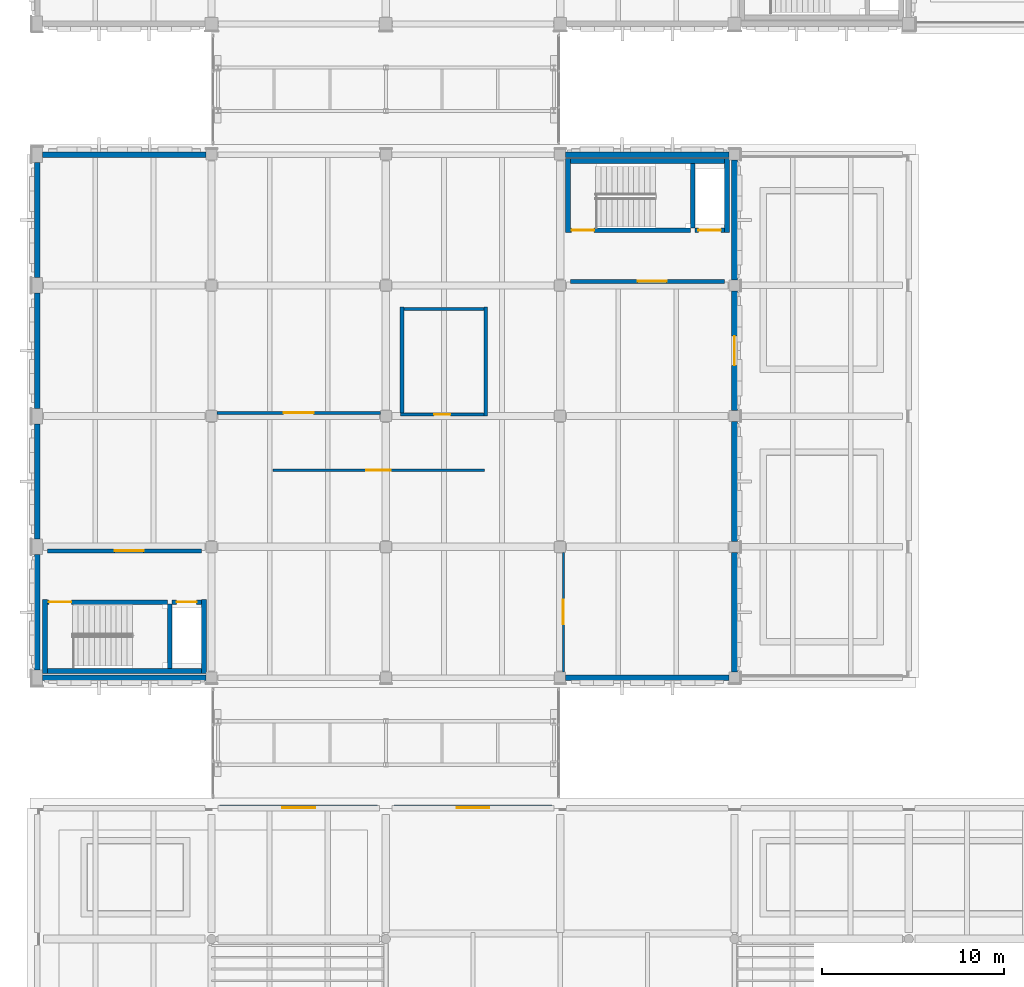
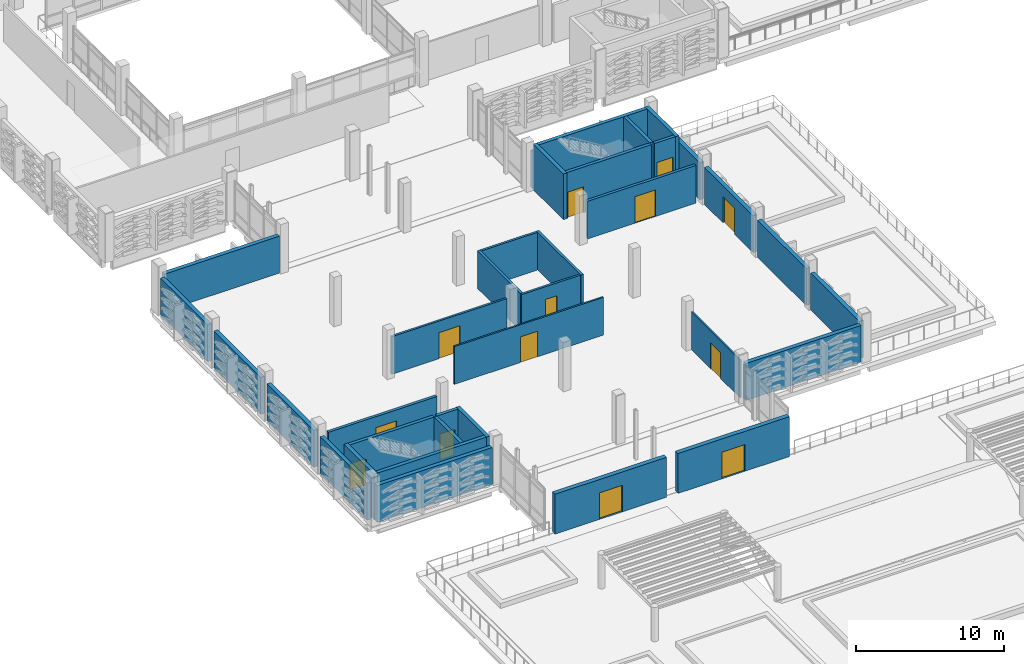
# One storey, part 112 of 134: 35 walls, 13 doors, 13 openings.
"""IFC4 building model written with IfcOpenShell, lengths in metres."""

from ifc_helpers import new_model, si_unit, direction, frame, frame_2d, origin, place, context, subcontext, project, spatial, rectangle, extrude, material, layer, layer_set, type_object, element, fill, save


model = new_model("IFC4")

# Units and contexts
model_context = context("Model", 3, precision=1e-05, world=origin(), true_north=direction((0.0, 1.0)))
body_context = subcontext(model_context, "Body", "Model", "MODEL_VIEW")
ifc_project = project(units=[si_unit("LENGTHUNIT", "METRE"), si_unit("AREAUNIT", "SQUARE_METRE"), si_unit("VOLUMEUNIT", "CUBIC_METRE"), si_unit("PLANEANGLEUNIT", "RADIAN"), si_unit("MASSUNIT", "GRAM", prefix="KILO")], contexts=[model_context])

# Site, building, storey
site_placement = place(None, origin())
site = spatial("IfcSite", under=ifc_project, at=site_placement, CompositionType="ELEMENT")
building_placement = place(site_placement, origin())
building = spatial("IfcBuilding", under=site, at=building_placement, Name="Asteropetra Specialist Clinic", CompositionType="ELEMENT")
storey_placement = place(building_placement, frame((0.0, 0.0, 8.5)))
storey = spatial("IfcBuildingStorey", under=building, at=storey_placement, Name="L02", CompositionType="ELEMENT", Elevation=8.5)

# Walls
ifc_material_1 = material(Name="Chevron ochre deep", Category="masonry")
ifc_layer_1 = layer(ifc_material_1, 0.31005859375)
ifc_layer_set_1 = layer_set([ifc_layer_1], Name="Chevron ochre deep")
wall_type_1 = type_object("IfcWallType", Name="EW-CHEV-OCH-310", PredefinedType="SOLIDWALL", material=ifc_layer_set_1)
for number, where, z_axis, x_axis, name in (
    (1, (0.300048828125, 33.60009765625, 0.0), (0.0, 0.0, 1.0), (1.0, 0.0, 0.0), "Exterior Wall EW-0167"),
    (2, (9.300048828125, 62.39990234375, 0.0), (0.0, 0.0, 1.0), (-1.0, 0.0, 0.0), "Exterior Wall EW-0168"),
    (3, (29.10009765625, 33.60009765625, 0.0), (0.0, 0.0, 1.0), (1.0, 0.0, 0.0), "Exterior Wall EW-0169"),
    (4, (38.10009765625, 62.39990234375, 0.0), (0.0, 0.0, 1.0), (-1.0, 0.0, 0.0), "Exterior Wall EW-0170"),
):
    element("IfcWall", number, at=place(storey_placement, frame(where, z_axis=z_axis, x_axis=x_axis)), inside=storey, type_object=wall_type_1, Name=name, PredefinedType="SOLIDWALL", context=body_context, shape_type="SweptSolid", body=[
        extrude(rectangle(XDim=9.0, YDim=0.31005859375, at=frame_2d((4.5, 0.0))), origin(), (0.0, 0.0, 1.0), 3.06005859375),
    ])
wall_1_placement = place(storey_placement, frame((0.0, 40.375, 0.0), z_axis=(0.0, 0.0, 1.0), x_axis=(0.0, -1.0, 0.0)))
element("IfcWall", 5, at=wall_1_placement, inside=storey, type_object=wall_type_1, Name="Exterior Wall EW-0171", PredefinedType="SOLIDWALL", context=body_context, shape_type="SweptSolid", body=[
    extrude(rectangle(XDim=6.35009765625, YDim=0.31005859375, at=frame_2d((3.175048828125, 0.0))), origin(), (0.0, 0.0, 1.0), 3.06005859375),
])
wall_2_placement = place(storey_placement, frame((38.39990234375, 33.89990234375, 0.0), z_axis=(0.0, 0.0, 1.0), x_axis=(0.0, 1.0, 0.0)))
element("IfcWall", 6, at=wall_2_placement, inside=storey, type_object=wall_type_1, Name="Exterior Wall EW-0172", PredefinedType="SOLIDWALL", context=body_context, shape_type="SweptSolid", body=[
    extrude(rectangle(XDim=6.60009765625, YDim=0.31005859375, at=frame_2d((3.300048828125, 0.0))), origin(), (0.0, 0.0, 1.0), 3.06005859375),
])
wall_3_placement = place(storey_placement, frame((0.0, 47.574951171875, 0.0), z_axis=(0.0, 0.0, 1.0), x_axis=(0.0, -1.0, 0.0)))
element("IfcWall", 7, at=wall_3_placement, inside=storey, type_object=wall_type_1, Name="Exterior Wall EW-0173", PredefinedType="SOLIDWALL", context=body_context, shape_type="SweptSolid", body=[
    extrude(rectangle(XDim=6.349853515625, YDim=0.31005859375, at=frame_2d((3.1748046875, 0.0))), origin(), (0.0, 0.0, 1.0), 3.06005859375),
])
wall_4_placement = place(storey_placement, frame((38.39990234375, 41.10009765625, 0.0), z_axis=(0.0, 0.0, 1.0), x_axis=(0.0, 1.0, 0.0)))
element("IfcWall", 8, at=wall_4_placement, inside=storey, type_object=wall_type_1, Name="Exterior Wall EW-0174", PredefinedType="SOLIDWALL", context=body_context, shape_type="SweptSolid", body=[
    extrude(rectangle(XDim=6.599853515625, YDim=0.31005859375, at=frame_2d((3.2998046875, 0.0))), origin(), (0.0, 0.0, 1.0), 3.06005859375),
])
wall_5_placement = place(storey_placement, frame((0.0, 54.77490234375, 0.0), z_axis=(0.0, 0.0, 1.0), x_axis=(0.0, -1.0, 0.0)))
element("IfcWall", 9, at=wall_5_placement, inside=storey, type_object=wall_type_1, Name="Exterior Wall EW-0175", PredefinedType="SOLIDWALL", context=body_context, shape_type="SweptSolid", body=[
    extrude(rectangle(XDim=6.349853515625, YDim=0.31005859375, at=frame_2d((3.1748046875, 0.0))), origin(), (0.0, 0.0, 1.0), 3.06005859375),
])

# Wall, opening, door
wall_6_placement = place(storey_placement, frame((38.39990234375, 48.300048828125, 0.0), z_axis=(0.0, 0.0, 1.0), x_axis=(0.0, 1.0, 0.0)))
wall_6 = element("IfcWall", 10, at=wall_6_placement, inside=storey, type_object=wall_type_1, Name="Exterior Wall EW-0176", PredefinedType="SOLIDWALL", context=body_context, shape_type="SweptSolid", body=[
    extrude(rectangle(XDim=6.599853515625, YDim=0.31005859375, at=frame_2d((3.2998046875, 0.0))), origin(), (0.0, 0.0, 1.0), 3.06005859375),
])
opening_1_placement = place(wall_6_placement, frame((2.5, 0.0, 0.0)))
opening_1 = element("IfcOpeningElement", 11, at=opening_1_placement, cuts=wall_6, Name="Opening TD-15", PredefinedType="OPENING", context=body_context, shape_type="SweptSolid", body=[
    extrude(rectangle(XDim=1.60009765625, YDim=2.14990234375, at=frame_2d((0.800048828125, 1.074951171875))), frame((0.0, 0.1650390625, 0.0), z_axis=(0.0, -1.0, 0.0), x_axis=(1.0, 0.0, 0.0)), (0.0, 0.0, 1.0), 0.330078125),
])
ifc_material_2 = material(Name="Bronze aluminium and low-E glass", Category="aluminium")
door_type_1 = type_object("IfcDoorType", Name="EDR-TER-1600", OperationType="DOUBLE_DOOR_SINGLE_SWING", PredefinedType="DOOR", material=ifc_material_2)
door_1_placement = place(opening_1_placement, origin())
door_1 = element("IfcDoor", 12, at=door_1_placement, inside=storey, type_object=door_type_1, Name="Exterior Door TD-15", OperationType="DOUBLE_DOOR_SINGLE_SWING", OverallHeight=2.14990234375, OverallWidth=1.60009765625, PredefinedType="DOOR", context=body_context, shape_type="SweptSolid", body=[
    extrude(rectangle(XDim=1.60009765625, YDim=2.14990234375, at=frame_2d((0.800048828125, 1.074951171875))), frame((0.0, 0.02490234375, 0.0), z_axis=(0.0, -1.0, 0.0), x_axis=(1.0, 0.0, 0.0)), (0.0, 0.0, 1.0), 0.050048828125),
])
fill(opening_1, door_1)

# Walls
wall_7_placement = place(storey_placement, frame((0.0, 61.97509765625, 0.0), z_axis=(0.0, 0.0, 1.0), x_axis=(0.0, -1.0, 0.0)))
element("IfcWall", 13, at=wall_7_placement, inside=storey, type_object=wall_type_1, Name="Exterior Wall EW-0177", PredefinedType="SOLIDWALL", context=body_context, shape_type="SweptSolid", body=[
    extrude(rectangle(XDim=6.35009765625, YDim=0.31005859375, at=frame_2d((3.175048828125, 0.0))), origin(), (0.0, 0.0, 1.0), 3.06005859375),
])
wall_8_placement = place(storey_placement, frame((38.39990234375, 55.5, 0.0), z_axis=(0.0, 0.0, 1.0), x_axis=(0.0, 1.0, 0.0)))
element("IfcWall", 14, at=wall_8_placement, inside=storey, type_object=wall_type_1, Name="Exterior Wall EW-0178", PredefinedType="SOLIDWALL", context=body_context, shape_type="SweptSolid", body=[
    extrude(rectangle(XDim=6.60009765625, YDim=0.31005859375, at=frame_2d((3.300048828125, 0.0))), origin(), (0.0, 0.0, 1.0), 3.06005859375),
])

# Wall, opening, door
ifc_material_3 = material(Name="Piraeus poros limestone", Category="masonry")
ifc_layer_2 = layer(ifc_material_3, 0.340087890625)
ifc_layer_set_2 = layer_set([ifc_layer_2], Name="Piraeus poros limestone")
wall_type_2 = type_object("IfcWallType", Name="EW-POROS-340", PredefinedType="SOLIDWALL", material=ifc_layer_set_2)
wall_9_placement = place(storey_placement, frame((10.050048828125, 26.419921875, 0.0), z_axis=(0.0, 0.0, 1.0), x_axis=(1.0, 0.0, 0.0)))
wall_9 = element("IfcWall", 15, at=wall_9_placement, inside=storey, type_object=wall_type_2, Name="Terrace Portal Wall EW-LP1-S1", PredefinedType="SOLIDWALL", context=body_context, shape_type="SweptSolid", body=[
    extrude(rectangle(XDim=8.699951171875, YDim=0.340087890625, at=frame_2d((4.35009765625, 0.0))), origin(), (0.0, 0.0, 1.0), 3.300048828125),
])
opening_2_placement = place(wall_9_placement, frame((3.449951171875, 0.0, 0.0)))
opening_2 = element("IfcOpeningElement", 16, at=opening_2_placement, cuts=wall_9, Name="Opening TD-V2-01", PredefinedType="OPENING", context=body_context, shape_type="SweptSolid", body=[
    extrude(rectangle(XDim=1.800048828125, YDim=2.199951171875, at=frame_2d((0.89990234375, 1.10009765625))), frame((0.0, 0.179931640625, 0.0), z_axis=(0.0, -1.0, 0.0), x_axis=(1.0, 0.0, 0.0)), (0.0, 0.0, 1.0), 0.360107421875),
])
ifc_material_4 = material(Name="Bronze aluminium and low-E glass", Category="aluminium")
door_type_2 = type_object("IfcDoorType", Name="EDR-TER-1800", OperationType="DOUBLE_DOOR_SINGLE_SWING", PredefinedType="DOOR", material=ifc_material_4)
door_2_placement = place(opening_2_placement, origin())
door_2 = element("IfcDoor", 17, at=door_2_placement, inside=storey, type_object=door_type_2, Name="Healing Terrace Door TD-V2-01", OperationType="DOUBLE_DOOR_SINGLE_SWING", OverallHeight=2.199951171875, OverallWidth=1.800048828125, PredefinedType="DOOR", context=body_context, shape_type="SweptSolid", body=[
    extrude(rectangle(XDim=1.800048828125, YDim=2.199951171875, at=frame_2d((0.89990234375, 1.10009765625))), frame((0.0, 0.02490234375, 0.0), z_axis=(0.0, -1.0, 0.0), x_axis=(1.0, 0.0, 0.0)), (0.0, 0.0, 1.0), 0.050048828125),
])
fill(opening_2, door_2)

wall_10_placement = place(storey_placement, frame((19.64990234375, 26.419921875, 0.0), z_axis=(0.0, 0.0, 1.0), x_axis=(1.0, 0.0, 0.0)))
wall_10 = element("IfcWall", 18, at=wall_10_placement, inside=storey, type_object=wall_type_2, Name="Terrace Portal Wall EW-LP1-S2", PredefinedType="SOLIDWALL", context=body_context, shape_type="SweptSolid", body=[
    extrude(rectangle(XDim=8.7001953125, YDim=0.340087890625, at=frame_2d((4.35009765625, 0.0))), origin(), (0.0, 0.0, 1.0), 3.300048828125),
])
opening_3_placement = place(wall_10_placement, frame((3.449951171875, 0.0, 0.0)))
opening_3 = element("IfcOpeningElement", 19, at=opening_3_placement, cuts=wall_10, Name="Opening TD-V2-02", PredefinedType="OPENING", context=body_context, shape_type="SweptSolid", body=[
    extrude(rectangle(XDim=1.800048828125, YDim=2.199951171875, at=frame_2d((0.89990234375, 1.10009765625))), frame((0.0, 0.179931640625, 0.0), z_axis=(0.0, -1.0, 0.0), x_axis=(1.0, 0.0, 0.0)), (0.0, 0.0, 1.0), 0.360107421875),
])
door_3_placement = place(opening_3_placement, origin())
door_3 = element("IfcDoor", 20, at=door_3_placement, inside=storey, type_object=door_type_2, Name="Healing Terrace Door TD-V2-02", OperationType="DOUBLE_DOOR_SINGLE_SWING", OverallHeight=2.199951171875, OverallWidth=1.800048828125, PredefinedType="DOOR", context=body_context, shape_type="SweptSolid", body=[
    extrude(rectangle(XDim=1.800048828125, YDim=2.199951171875, at=frame_2d((0.89990234375, 1.10009765625))), frame((0.0, 0.02490234375, 0.0), z_axis=(0.0, -1.0, 0.0), x_axis=(1.0, 0.0, 0.0)), (0.0, 0.0, 1.0), 0.050048828125),
])
fill(opening_3, door_3)

ifc_material_5 = material(Name="Fire-rated masonry and gypsum", Category="masonry")
ifc_layer_3 = layer(ifc_material_5, 0.219970703125)
ifc_layer_set_3 = layer_set([ifc_layer_3], Name="Fire-rated masonry and gypsum")
wall_type_3 = type_object("IfcWallType", Name="W-COMP-220", PredefinedType="PARTITIONING", material=ifc_layer_set_3)
wall_11_placement = place(storey_placement, frame((0.56005859375, 40.580078125, 0.0), z_axis=(0.0, 0.0, 1.0), x_axis=(1.0, 0.0, 0.0)))
wall_11 = element("IfcWall", 21, at=wall_11_placement, inside=storey, type_object=wall_type_3, Name="Core Wall CW-C4-L02-LOB", PredefinedType="PARTITIONING", context=body_context, shape_type="SweptSolid", body=[
    extrude(rectangle(XDim=8.47998046875, YDim=0.219970703125, at=frame_2d((4.239990234375, 0.0))), origin(), (0.0, 0.0, 1.0), 3.110107421875),
])
opening_4_placement = place(wall_11_placement, frame((3.699951171875, 0.0, 0.0)))
opening_4 = element("IfcOpeningElement", 22, at=opening_4_placement, cuts=wall_11, Name="Opening FD-040", PredefinedType="OPENING", context=body_context, shape_type="SweptSolid", body=[
    extrude(rectangle(XDim=1.60009765625, YDim=2.199951171875, at=frame_2d((0.800048828125, 1.10009765625))), frame((0.0, 0.119873046875, 0.0), z_axis=(0.0, -1.0, 0.0), x_axis=(1.0, 0.0, 0.0)), (0.0, 0.0, 1.0), 0.239990234375),
])
ifc_material_6 = material(Name="Fire-rated steel and vision glass door", Category="steel")
door_type_3 = type_object("IfcDoorType", Name="FD-LOBBY-1600", OperationType="DOUBLE_DOOR_SINGLE_SWING", PredefinedType="DOOR", material=ifc_material_6)
door_4_placement = place(opening_4_placement, origin())
door_4 = element("IfcDoor", 23, at=door_4_placement, inside=storey, type_object=door_type_3, Name="Lobby Fire Door FD-040", OperationType="DOUBLE_DOOR_SINGLE_SWING", OverallHeight=2.199951171875, OverallWidth=1.60009765625, PredefinedType="DOOR", context=body_context, shape_type="SweptSolid", body=[
    extrude(rectangle(XDim=1.60009765625, YDim=2.199951171875, at=frame_2d((0.800048828125, 1.10009765625))), frame((0.0, 0.02490234375, 0.0), z_axis=(0.0, -1.0, 0.0), x_axis=(1.0, 0.0, 0.0)), (0.0, 0.0, 1.0), 0.050048828125),
])
fill(opening_4, door_4)

wall_12_placement = place(storey_placement, frame((29.360107421875, 55.419921875, 0.0), z_axis=(0.0, 0.0, 1.0), x_axis=(1.0, 0.0, 0.0)))
wall_12 = element("IfcWall", 24, at=wall_12_placement, inside=storey, type_object=wall_type_3, Name="Core Wall CW-C5-L02-LOB", PredefinedType="PARTITIONING", context=body_context, shape_type="SweptSolid", body=[
    extrude(rectangle(XDim=8.47998046875, YDim=0.219970703125, at=frame_2d((4.239990234375, 0.0))), origin(), (0.0, 0.0, 1.0), 3.110107421875),
])
opening_5_placement = place(wall_12_placement, frame((3.699951171875, 0.0, 0.0)))
opening_5 = element("IfcOpeningElement", 25, at=opening_5_placement, cuts=wall_12, Name="Opening FD-050", PredefinedType="OPENING", context=body_context, shape_type="SweptSolid", body=[
    extrude(rectangle(XDim=1.60009765625, YDim=2.199951171875, at=frame_2d((0.800048828125, 1.10009765625))), frame((0.0, 0.119873046875, 0.0), z_axis=(0.0, -1.0, 0.0), x_axis=(1.0, 0.0, 0.0)), (0.0, 0.0, 1.0), 0.239990234375),
])
door_5_placement = place(opening_5_placement, origin())
door_5 = element("IfcDoor", 26, at=door_5_placement, inside=storey, type_object=door_type_3, Name="Lobby Fire Door FD-050", OperationType="DOUBLE_DOOR_SINGLE_SWING", OverallHeight=2.199951171875, OverallWidth=1.60009765625, PredefinedType="DOOR", context=body_context, shape_type="SweptSolid", body=[
    extrude(rectangle(XDim=1.60009765625, YDim=2.199951171875, at=frame_2d((0.800048828125, 1.10009765625))), frame((0.0, 0.02490234375, 0.0), z_axis=(0.0, -1.0, 0.0), x_axis=(1.0, 0.0, 0.0)), (0.0, 0.0, 1.0), 0.050048828125),
])
fill(opening_5, door_5)

# Walls
ifc_material_7 = material(Name="Concrete C35/45", Category="concrete")
ifc_layer_4 = layer(ifc_material_7, 0.280029296875)
ifc_layer_set_4 = layer_set([ifc_layer_4], Name="Concrete C35/45")
wall_type_4 = type_object("IfcWallType", Name="W-CORE-280", PredefinedType="SHEAR", material=ifc_layer_set_4)
for number, where, z_axis, x_axis, name in (
    (27, (0.419921875, 33.820068359375, 0.0), (0.0, 0.0, 1.0), (0.0, 1.0, 0.0), "Core Wall CW-C4-L02-W"),
    (28, (9.179931640625, 33.820068359375, 0.0), (0.0, 0.0, 1.0), (0.0, 1.0, 0.0), "Core Wall CW-C4-L02-E"),
):
    element("IfcWall", number, at=place(storey_placement, frame(where, z_axis=z_axis, x_axis=x_axis)), inside=storey, type_object=wall_type_4, Name=name, PredefinedType="SHEAR", context=body_context, shape_type="SweptSolid", body=[
        extrude(rectangle(XDim=4.079833984375, YDim=0.280029296875, at=frame_2d((2.0400390625, 0.0))), origin(), (0.0, 0.0, 1.0), 3.780029296875),
    ])
wall_13_placement = place(storey_placement, frame((0.554931640625, 33.9599609375, 0.0), z_axis=(0.0, 0.0, 1.0), x_axis=(1.0, 0.0, 0.0)))
element("IfcWall", 29, at=wall_13_placement, inside=storey, type_object=wall_type_4, Name="Core Wall CW-C4-L02-BACK", PredefinedType="SHEAR", context=body_context, shape_type="SweptSolid", body=[
    extrude(rectangle(XDim=8.489990234375, YDim=0.280029296875, at=frame_2d((4.2451171875, 0.0))), origin(), (0.0, 0.0, 1.0), 3.780029296875),
])
for number, where, z_axis, x_axis, name in (
    (30, (29.219970703125, 58.10009765625, 0.0), (0.0, 0.0, 1.0), (0.0, 1.0, 0.0), "Core Wall CW-C5-L02-W"),
    (31, (37.97998046875, 58.10009765625, 0.0), (0.0, 0.0, 1.0), (0.0, 1.0, 0.0), "Core Wall CW-C5-L02-E"),
):
    element("IfcWall", number, at=place(storey_placement, frame(where, z_axis=z_axis, x_axis=x_axis)), inside=storey, type_object=wall_type_4, Name=name, PredefinedType="SHEAR", context=body_context, shape_type="SweptSolid", body=[
        extrude(rectangle(XDim=4.079833984375, YDim=0.280029296875, at=frame_2d((2.0400390625, 0.0))), origin(), (0.0, 0.0, 1.0), 3.780029296875),
    ])
wall_14_placement = place(storey_placement, frame((29.35498046875, 62.0400390625, 0.0), z_axis=(0.0, 0.0, 1.0), x_axis=(1.0, 0.0, 0.0)))
element("IfcWall", 32, at=wall_14_placement, inside=storey, type_object=wall_type_4, Name="Core Wall CW-C5-L02-BACK", PredefinedType="SHEAR", context=body_context, shape_type="SweptSolid", body=[
    extrude(rectangle(XDim=8.489990234375, YDim=0.280029296875, at=frame_2d((4.2451171875, 0.0))), origin(), (0.0, 0.0, 1.0), 3.780029296875),
])

# Wall, opening, door
ifc_material_8 = material(Name="Light partition", Category="masonry")
ifc_layer_5 = layer(ifc_material_8, 0.1201171875)
ifc_layer_set_5 = layer_set([ifc_layer_5], Name="Light partition")
wall_type_5 = type_object("IfcWallType", Name="W-PART-120", PredefinedType="PARTITIONING", material=ifc_layer_set_5)
wall_15_placement = place(storey_placement, frame((28.97998046875, 33.905029296875, 0.0), z_axis=(0.0, 0.0, 1.0), x_axis=(0.0, 1.0, 0.0)))
wall_15 = element("IfcWall", 33, at=wall_15_placement, inside=storey, type_object=wall_type_5, Name="Interior Partition PW-0134", PredefinedType="PARTITIONING", context=body_context, shape_type="SweptSolid", body=[
    extrude(rectangle(XDim=6.590087890625, YDim=0.1201171875, at=frame_2d((3.294921875, 0.0))), origin(), (0.0, 0.0, 1.0), 3.1201171875),
])
opening_6_placement = place(wall_15_placement, frame((2.6201171875, 0.0, 0.0)))
opening_6 = element("IfcOpeningElement", 34, at=opening_6_placement, cuts=wall_15, Name="Opening ID-0088", PredefinedType="OPENING", context=body_context, shape_type="SweptSolid", body=[
    extrude(rectangle(XDim=1.35009765625, YDim=2.1201171875, at=frame_2d((0.675048828125, 1.06005859375))), frame((0.0, 0.070068359375, 0.0), z_axis=(0.0, -1.0, 0.0), x_axis=(1.0, 0.0, 0.0)), (0.0, 0.0, 1.0), 0.14013671875),
])
ifc_material_9 = material(Name="Antimicrobial laminate timber leaf in steel frame", Category="steel")
door_type_4 = type_object("IfcDoorType", Name="ID-LAB-1350", OperationType="NOTDEFINED", PredefinedType="DOOR", material=ifc_material_9)
door_6_placement = place(opening_6_placement, origin())
door_6 = element("IfcDoor", 35, at=door_6_placement, inside=storey, type_object=door_type_4, Name="Interior Door ID-0088", OperationType="SINGLE_SWING_LEFT", OverallHeight=2.1201171875, OverallWidth=1.35009765625, PredefinedType="DOOR", context=body_context, shape_type="SweptSolid", body=[
    extrude(rectangle(XDim=1.35009765625, YDim=2.1201171875, at=frame_2d((0.675048828125, 1.06005859375))), frame((0.0, 0.02490234375, 0.0), z_axis=(0.0, -1.0, 0.0), x_axis=(1.0, 0.0, 0.0)), (0.0, 0.0, 1.0), 0.050048828125),
])
fill(opening_6, door_6)

ifc_material_10 = material(Name="Office and seminar partition", Category="masonry")
ifc_layer_6 = layer(ifc_material_10, 0.1298828125)
ifc_layer_set_6 = layer_set([ifc_layer_6], Name="Office and seminar partition")
wall_type_6 = type_object("IfcWallType", Name="W-PART-130", PredefinedType="PARTITIONING", material=ifc_layer_set_6)
wall_16_placement = place(storey_placement, frame((12.97998046875, 45.02001953125, 0.0), z_axis=(0.0, 0.0, 1.0), x_axis=(1.0, 0.0, 0.0)))
wall_16 = element("IfcWall", 36, at=wall_16_placement, inside=storey, type_object=wall_type_6, Name="Interior Partition PW-0133", PredefinedType="PARTITIONING", context=body_context, shape_type="SweptSolid", body=[
    extrude(rectangle(XDim=11.64013671875, YDim=0.1298828125, at=frame_2d((5.820068359375, 0.0))), origin(), (0.0, 0.0, 1.0), 3.1201171875),
])
opening_7_placement = place(wall_16_placement, frame((5.14501953125, 0.0, 0.0)))
opening_7 = element("IfcOpeningElement", 37, at=opening_7_placement, cuts=wall_16, Name="Opening ID-0087", PredefinedType="OPENING", context=body_context, shape_type="SweptSolid", body=[
    extrude(rectangle(XDim=1.35009765625, YDim=2.1201171875, at=frame_2d((0.675048828125, 1.06005859375))), frame((0.0, 0.074951171875, 0.0), z_axis=(0.0, -1.0, 0.0), x_axis=(1.0, 0.0, 0.0)), (0.0, 0.0, 1.0), 0.14990234375),
])
door_7_placement = place(opening_7_placement, origin())
door_7 = element("IfcDoor", 38, at=door_7_placement, inside=storey, type_object=door_type_4, Name="Interior Door ID-0087", OperationType="SINGLE_SWING_RIGHT", OverallHeight=2.1201171875, OverallWidth=1.35009765625, PredefinedType="DOOR", context=body_context, shape_type="SweptSolid", body=[
    extrude(rectangle(XDim=1.35009765625, YDim=2.1201171875, at=frame_2d((0.675048828125, 1.06005859375))), frame((0.0, 0.02490234375, 0.0), z_axis=(0.0, -1.0, 0.0), x_axis=(1.0, 0.0, 0.0)), (0.0, 0.0, 1.0), 0.050048828125),
])
fill(opening_7, door_7)

ifc_material_11 = material(Name="Acoustic clinical stud partition", Category="masonry")
ifc_layer_7 = layer(ifc_material_11, 0.159912109375)
ifc_layer_set_7 = layer_set([ifc_layer_7], Name="Acoustic clinical stud partition")
wall_type_7 = type_object("IfcWallType", Name="W-PART-160", PredefinedType="PARTITIONING", material=ifc_layer_set_7)
wall_17_placement = place(storey_placement, frame((9.905029296875, 48.179931640625, 0.0), z_axis=(0.0, 0.0, 1.0), x_axis=(1.0, 0.0, 0.0)))
wall_17 = element("IfcWall", 39, at=wall_17_placement, inside=storey, type_object=wall_type_7, Name="Interior Partition PW-0135", PredefinedType="PARTITIONING", context=body_context, shape_type="SweptSolid", body=[
    extrude(rectangle(XDim=8.989990234375, YDim=0.159912109375, at=frame_2d((4.4951171875, 0.0))), origin(), (0.0, 0.0, 1.0), 3.110107421875),
])
opening_8_placement = place(wall_17_placement, frame((3.669921875, 0.0, 0.0)))
opening_8 = element("IfcOpeningElement", 40, at=opening_8_placement, cuts=wall_17, Name="Opening ID-0089", PredefinedType="OPENING", context=body_context, shape_type="SweptSolid", body=[
    extrude(rectangle(XDim=1.64990234375, YDim=2.14990234375, at=frame_2d((0.824951171875, 1.074951171875))), frame((0.0, 0.08984375, 0.0), z_axis=(0.0, -1.0, 0.0), x_axis=(1.0, 0.0, 0.0)), (0.0, 0.0, 1.0), 0.179931640625),
])
ifc_material_12 = material(Name="Antimicrobial laminate timber leaf in steel frame", Category="steel")
door_type_5 = type_object("IfcDoorType", Name="ID-PROC-1650", OperationType="DOUBLE_DOOR_SINGLE_SWING", PredefinedType="DOOR", material=ifc_material_12)
door_8_placement = place(opening_8_placement, origin())
door_8 = element("IfcDoor", 41, at=door_8_placement, inside=storey, type_object=door_type_5, Name="Interior Door ID-0089", OperationType="DOUBLE_DOOR_SINGLE_SWING", OverallHeight=2.14990234375, OverallWidth=1.64990234375, PredefinedType="DOOR", context=body_context, shape_type="SweptSolid", body=[
    extrude(rectangle(XDim=1.64990234375, YDim=2.14990234375, at=frame_2d((0.824951171875, 1.074951171875))), frame((0.0, 0.02490234375, 0.0), z_axis=(0.0, -1.0, 0.0), x_axis=(1.0, 0.0, 0.0)), (0.0, 0.0, 1.0), 0.050048828125),
])
fill(opening_8, door_8)

ifc_material_13 = material(Name="En-suite plumbing wall", Category="masonry")
ifc_layer_8 = layer(ifc_material_13, 0.169921875)
ifc_layer_set_8 = layer_set([ifc_layer_8], Name="En-suite plumbing wall")
wall_type_8 = type_object("IfcWallType", Name="W-PLUMB-170", PredefinedType="PLUMBINGWALL", material=ifc_layer_set_8)
wall_18_placement = place(storey_placement, frame((19.9951171875, 48.090087890625, 0.0), z_axis=(0.0, 0.0, 1.0), x_axis=(1.0, 0.0, 0.0)))
wall_18 = element("IfcWall", 42, at=wall_18_placement, inside=storey, type_object=wall_type_8, Name="Interior Partition PW-0119", PredefinedType="PLUMBINGWALL", context=body_context, shape_type="SweptSolid", body=[
    extrude(rectangle(XDim=4.61279296875, YDim=0.169921875, at=frame_2d((2.306396484375, 0.0))), origin(), (0.0, 0.0, 1.0), 3.110107421875),
])
opening_9_placement = place(wall_18_placement, frame((1.8564453125, 0.0, 0.0)))
opening_9 = element("IfcOpeningElement", 43, at=opening_9_placement, cuts=wall_18, Name="Opening ID-0078", PredefinedType="OPENING", context=body_context, shape_type="SweptSolid", body=[
    extrude(rectangle(XDim=0.89990234375, YDim=2.06005859375, at=frame_2d((0.449951171875, 1.030029296875))), frame((0.0, 0.094970703125, 0.0), z_axis=(0.0, -1.0, 0.0), x_axis=(1.0, 0.0, 0.0)), (0.0, 0.0, 1.0), 0.18994140625),
])
ifc_material_14 = material(Name="Antimicrobial laminate timber leaf in steel frame", Category="steel")
door_type_6 = type_object("IfcDoorType", Name="ID-ENS-0900", OperationType="SINGLE_SWING_RIGHT", PredefinedType="DOOR", material=ifc_material_14)
door_9_placement = place(opening_9_placement, origin())
door_9 = element("IfcDoor", 44, at=door_9_placement, inside=storey, type_object=door_type_6, Name="Interior Door ID-0078", OperationType="SINGLE_SWING_RIGHT", OverallHeight=2.06005859375, OverallWidth=0.89990234375, PredefinedType="DOOR", context=body_context, shape_type="SweptSolid", body=[
    extrude(rectangle(XDim=0.89990234375, YDim=2.06005859375, at=frame_2d((0.449951171875, 1.030029296875))), frame((0.0, 0.02490234375, 0.0), z_axis=(0.0, -1.0, 0.0), x_axis=(1.0, 0.0, 0.0)), (0.0, 0.0, 1.0), 0.050048828125),
])
fill(opening_9, door_9)

# Walls
wall_19_placement = place(storey_placement, frame((20.19189453125, 53.909912109375, 0.0), z_axis=(0.0, 0.0, 1.0), x_axis=(1.0, 0.0, 0.0)))
element("IfcWall", 45, at=wall_19_placement, inside=storey, type_object=wall_type_8, Name="Interior Partition PW-0121", PredefinedType="PLUMBINGWALL", context=body_context, shape_type="SweptSolid", body=[
    extrude(rectangle(XDim=4.416015625, YDim=0.169921875, at=frame_2d((2.2080078125, 0.0))), origin(), (0.0, 0.0, 1.0), 3.1201171875),
])
ifc_material_15 = material(Name="Sanitary service-chase wall", Category="masonry")
ifc_layer_9 = layer(ifc_material_15, 0.199951171875)
ifc_layer_set_9 = layer_set([ifc_layer_9], Name="Sanitary service-chase wall")
wall_type_9 = type_object("IfcWallType", Name="W-PLUMB-200", PredefinedType="PLUMBINGWALL", material=ifc_layer_set_9)
wall_20_placement = place(storey_placement, frame((24.7099609375, 47.9951171875, 0.0), z_axis=(0.0, 0.0, 1.0), x_axis=(0.0, 1.0, 0.0)))
element("IfcWall", 46, at=wall_20_placement, inside=storey, type_object=wall_type_9, Name="Interior Partition PW-0118", PredefinedType="PLUMBINGWALL", context=body_context, shape_type="SweptSolid", body=[
    extrude(rectangle(XDim=6.009765625, YDim=0.199951171875, at=frame_2d((3.0048828125, 0.0))), origin(), (0.0, 0.0, 1.0), 3.110107421875),
])
wall_21_placement = place(storey_placement, frame((20.090087890625, 48.177001953125, 0.0), z_axis=(0.0, 0.0, 1.0), x_axis=(0.0, 1.0, 0.0)))
element("IfcWall", 47, at=wall_21_placement, inside=storey, type_object=wall_type_9, Name="Interior Partition PW-0120", PredefinedType="PLUMBINGWALL", context=body_context, shape_type="SweptSolid", body=[
    extrude(rectangle(XDim=5.827880859375, YDim=0.199951171875, at=frame_2d((2.9140625, 0.0))), origin(), (0.0, 0.0, 1.0), 3.110107421875),
])
ifc_material_16 = material(Name="Concrete C35/45", Category="concrete")
ifc_layer_10 = layer(ifc_material_16, 0.25)
ifc_layer_set_10 = layer_set([ifc_layer_10], Name="Concrete C35/45")
wall_type_10 = type_object("IfcWallType", Name="W-SHAFT-250", PredefinedType="SHEAR", material=ifc_layer_set_10)
wall_22_placement = place(storey_placement, frame((7.300048828125, 34.10009765625, 0.0), z_axis=(0.0, 0.0, 1.0), x_axis=(0.0, 1.0, 0.0)))
element("IfcWall", 48, at=wall_22_placement, inside=storey, type_object=wall_type_10, Name="Core Wall CW-C4-L02-MID", PredefinedType="SHEAR", context=body_context, shape_type="SweptSolid", body=[
    extrude(rectangle(XDim=3.539794921875, YDim=0.25, at=frame_2d((1.77001953125, 0.0))), origin(), (0.0, 0.0, 1.0), 3.780029296875),
])

# Wall, opening, door
wall_23_placement = place(storey_placement, frame((0.554931640625, 37.760009765625, 0.0), z_axis=(0.0, 0.0, 1.0), x_axis=(1.0, 0.0, 0.0)))
wall_23 = element("IfcWall", 49, at=wall_23_placement, inside=storey, type_object=wall_type_10, Name="Core Wall CW-C4-L02-STDIV", PredefinedType="SHEAR", context=body_context, shape_type="SweptSolid", body=[
    extrude(rectangle(XDim=6.625, YDim=0.25, at=frame_2d((3.3125, 0.0))), origin(), (0.0, 0.0, 1.0), 3.780029296875),
])
opening_10_placement = place(wall_23_placement, frame((0.080078125, 0.0, 0.0)))
opening_10 = element("IfcOpeningElement", 50, at=opening_10_placement, cuts=wall_23, Name="Opening FD-039", PredefinedType="OPENING", context=body_context, shape_type="SweptSolid", body=[
    extrude(rectangle(XDim=1.239990234375, YDim=2.14990234375, at=frame_2d((0.6201171875, 1.074951171875))), frame((0.0, 0.135009765625, 0.0), z_axis=(0.0, -1.0, 0.0), x_axis=(1.0, 0.0, 0.0)), (0.0, 0.0, 1.0), 0.27001953125),
])
ifc_material_17 = material(Name="Fire-rated steel and vision glass door", Category="steel")
door_type_7 = type_object("IfcDoorType", Name="FD-STAIR-1400", OperationType="DOUBLE_DOOR_SINGLE_SWING", PredefinedType="DOOR", material=ifc_material_17)
door_10_placement = place(opening_10_placement, origin())
door_10 = element("IfcDoor", 51, at=door_10_placement, inside=storey, type_object=door_type_7, Name="Stair Fire Door FD-039", OperationType="DOUBLE_DOOR_SINGLE_SWING", OverallHeight=2.14990234375, OverallWidth=1.239990234375, PredefinedType="DOOR", context=body_context, shape_type="SweptSolid", body=[
    extrude(rectangle(XDim=1.239990234375, YDim=2.14990234375, at=frame_2d((0.6201171875, 1.074951171875))), frame((0.0, 0.02490234375, 0.0), z_axis=(0.0, -1.0, 0.0), x_axis=(1.0, 0.0, 0.0)), (0.0, 0.0, 1.0), 0.050048828125),
])
fill(opening_10, door_10)

wall_24_placement = place(storey_placement, frame((7.419921875, 37.760009765625, 0.0), z_axis=(0.0, 0.0, 1.0), x_axis=(1.0, 0.0, 0.0)))
wall_24 = element("IfcWall", 52, at=wall_24_placement, inside=storey, type_object=wall_type_10, Name="Lift Shaft Front Wall CW-C4-L02-LFTF", PredefinedType="SHEAR", context=body_context, shape_type="SweptSolid", body=[
    extrude(rectangle(XDim=1.625, YDim=0.25, at=frame_2d((0.8125, 0.0))), origin(), (0.0, 0.0, 1.0), 3.780029296875),
])
opening_11_placement = place(wall_24_placement, frame((0.262451171875, 0.0, 0.0)))
opening_11 = element("IfcOpeningElement", 53, at=opening_11_placement, cuts=wall_24, Name="Opening LD-020", PredefinedType="OPENING", context=body_context, shape_type="SweptSolid", body=[
    extrude(rectangle(XDim=1.10009765625, YDim=2.14990234375, at=frame_2d((0.550048828125, 1.074951171875))), frame((0.0, 0.135009765625, 0.0), z_axis=(0.0, -1.0, 0.0), x_axis=(1.0, 0.0, 0.0)), (0.0, 0.0, 1.0), 0.27001953125),
])
ifc_material_18 = material(Name="Brushed stainless steel sliding lift landing door", Category="steel")
door_type_8 = type_object("IfcDoorType", Name="LD-PASS-1100", OperationType="DOUBLE_DOOR_SLIDING", PredefinedType="DOOR", material=ifc_material_18)
door_11_placement = place(opening_11_placement, origin())
door_11 = element("IfcDoor", 54, at=door_11_placement, inside=storey, type_object=door_type_8, Name="Lift Landing Door LD-020", OperationType="DOUBLE_DOOR_SLIDING", OverallHeight=2.14990234375, OverallWidth=1.10009765625, PredefinedType="DOOR", context=body_context, shape_type="SweptSolid", body=[
    extrude(rectangle(XDim=1.10009765625, YDim=2.14990234375, at=frame_2d((0.550048828125, 1.074951171875))), frame((0.0, 0.02490234375, 0.0), z_axis=(0.0, -1.0, 0.0), x_axis=(1.0, 0.0, 0.0)), (0.0, 0.0, 1.0), 0.050048828125),
])
fill(opening_11, door_11)

# Wall
wall_25_placement = place(storey_placement, frame((36.10009765625, 58.360107421875, 0.0), z_axis=(0.0, 0.0, 1.0), x_axis=(0.0, 1.0, 0.0)))
element("IfcWall", 55, at=wall_25_placement, inside=storey, type_object=wall_type_10, Name="Core Wall CW-C5-L02-MID", PredefinedType="SHEAR", context=body_context, shape_type="SweptSolid", body=[
    extrude(rectangle(XDim=3.539794921875, YDim=0.25, at=frame_2d((1.77001953125, 0.0))), origin(), (0.0, 0.0, 1.0), 3.780029296875),
])

# Wall, opening, door
wall_26_placement = place(storey_placement, frame((29.35498046875, 58.239990234375, 0.0), z_axis=(0.0, 0.0, 1.0), x_axis=(1.0, 0.0, 0.0)))
wall_26 = element("IfcWall", 56, at=wall_26_placement, inside=storey, type_object=wall_type_10, Name="Core Wall CW-C5-L02-STDIV", PredefinedType="SHEAR", context=body_context, shape_type="SweptSolid", body=[
    extrude(rectangle(XDim=6.625, YDim=0.25, at=frame_2d((3.3125, 0.0))), origin(), (0.0, 0.0, 1.0), 3.780029296875),
])
opening_12_placement = place(wall_26_placement, frame((0.080078125, 0.0, 0.0)))
opening_12 = element("IfcOpeningElement", 57, at=opening_12_placement, cuts=wall_26, Name="Opening FD-049", PredefinedType="OPENING", context=body_context, shape_type="SweptSolid", body=[
    extrude(rectangle(XDim=1.239990234375, YDim=2.14990234375, at=frame_2d((0.6201171875, 1.074951171875))), frame((0.0, 0.135009765625, 0.0), z_axis=(0.0, -1.0, 0.0), x_axis=(1.0, 0.0, 0.0)), (0.0, 0.0, 1.0), 0.27001953125),
])
door_12_placement = place(opening_12_placement, origin())
door_12 = element("IfcDoor", 58, at=door_12_placement, inside=storey, type_object=door_type_7, Name="Stair Fire Door FD-049", OperationType="DOUBLE_DOOR_SINGLE_SWING", OverallHeight=2.14990234375, OverallWidth=1.239990234375, PredefinedType="DOOR", context=body_context, shape_type="SweptSolid", body=[
    extrude(rectangle(XDim=1.239990234375, YDim=2.14990234375, at=frame_2d((0.6201171875, 1.074951171875))), frame((0.0, 0.02490234375, 0.0), z_axis=(0.0, -1.0, 0.0), x_axis=(1.0, 0.0, 0.0)), (0.0, 0.0, 1.0), 0.050048828125),
])
fill(opening_12, door_12)

wall_27_placement = place(storey_placement, frame((36.219970703125, 58.239990234375, 0.0), z_axis=(0.0, 0.0, 1.0), x_axis=(1.0, 0.0, 0.0)))
wall_27 = element("IfcWall", 59, at=wall_27_placement, inside=storey, type_object=wall_type_10, Name="Lift Shaft Front Wall CW-C5-L02-LFTF", PredefinedType="SHEAR", context=body_context, shape_type="SweptSolid", body=[
    extrude(rectangle(XDim=1.625, YDim=0.25, at=frame_2d((0.8125, 0.0))), origin(), (0.0, 0.0, 1.0), 3.780029296875),
])
opening_13_placement = place(wall_27_placement, frame((0.1875, 0.0, 0.0)))
opening_13 = element("IfcOpeningElement", 60, at=opening_13_placement, cuts=wall_27, Name="Opening LD-025", PredefinedType="OPENING", context=body_context, shape_type="SweptSolid", body=[
    extrude(rectangle(XDim=1.25, YDim=2.14990234375, at=frame_2d((0.625, 1.074951171875))), frame((0.0, 0.135009765625, 0.0), z_axis=(0.0, -1.0, 0.0), x_axis=(1.0, 0.0, 0.0)), (0.0, 0.0, 1.0), 0.27001953125),
])
ifc_material_19 = material(Name="Brushed stainless steel sliding lift landing door", Category="steel")
door_type_9 = type_object("IfcDoorType", Name="LD-SERV-1250", OperationType="DOUBLE_DOOR_SLIDING", PredefinedType="DOOR", material=ifc_material_19)
door_13_placement = place(opening_13_placement, origin())
door_13 = element("IfcDoor", 61, at=door_13_placement, inside=storey, type_object=door_type_9, Name="Lift Landing Door LD-025", OperationType="DOUBLE_DOOR_SLIDING", OverallHeight=2.14990234375, OverallWidth=1.25, PredefinedType="DOOR", context=body_context, shape_type="SweptSolid", body=[
    extrude(rectangle(XDim=1.25, YDim=2.14990234375, at=frame_2d((0.625, 1.074951171875))), frame((0.0, 0.02490234375, 0.0), z_axis=(0.0, -1.0, 0.0), x_axis=(1.0, 0.0, 0.0)), (0.0, 0.0, 1.0), 0.050048828125),
])
fill(opening_13, door_13)

save(model, "model.ifc")
